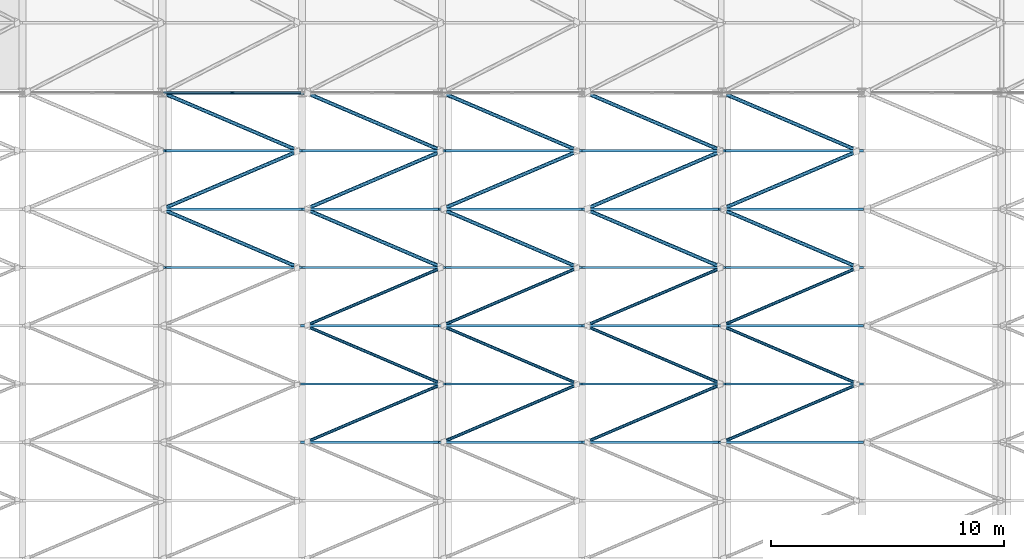
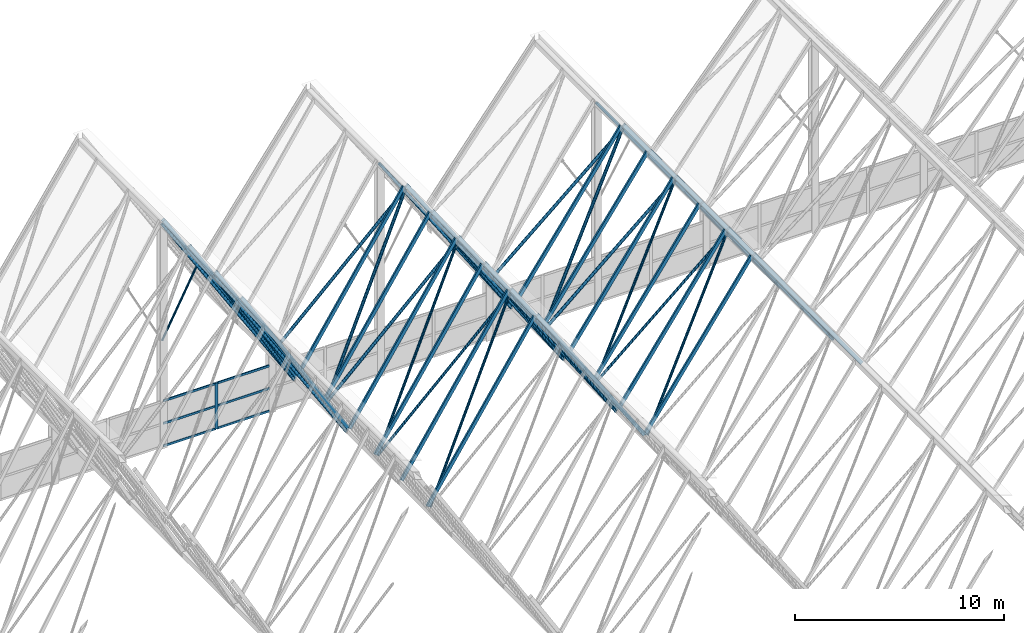
# One storey, part 22 of 483: 62 members, 1 beam, 1 element without a shape of its own.
"""IFC4 building model written with IfcOpenShell, lengths in metres."""

from ifc_helpers import new_model, si_unit, direction, frame, origin, origin_2d, place, context, subcontext, project, spatial, rectangle, hollow_rectangle, hollow_circle, extrude, material, material_profile, profile_set, type_object, element, aggregate, save


model = new_model("IFC4")

# Units and contexts
model_context = context("Model", 3, precision=1e-05, world=origin(), true_north=direction((0.0, 1.0)))
body_context = subcontext(model_context, "Body", "Model", "MODEL_VIEW")
ifc_project = project(units=[si_unit("LENGTHUNIT", "METRE"), si_unit("AREAUNIT", "SQUARE_METRE"), si_unit("VOLUMEUNIT", "CUBIC_METRE"), si_unit("PLANEANGLEUNIT", "RADIAN"), si_unit("MASSUNIT", "GRAM", prefix="KILO")], contexts=[model_context])

# Site, building, storey
site_placement = place(None, origin())
site = spatial("IfcSite", under=ifc_project, at=site_placement, CompositionType="ELEMENT")
building_placement = place(site_placement, origin())
building = spatial("IfcBuilding", under=site, at=building_placement, Name="Parallax Yard Mobility Hub", CompositionType="ELEMENT")
storey_placement = place(building_placement, frame((0.0, 0.0, 13.199951171875)))
storey = spatial("IfcBuildingStorey", under=building, at=storey_placement, Name="L04", CompositionType="ELEMENT", Elevation=13.199951171875)

# Member
ifc_material_1 = material(Name="Steel ASTM A500 Gr C", Category="steel")
ifc_material_profile_1 = material_profile(ifc_material_1, hollow_circle(Radius=0.05712890625, WallThickness=0.006103515625, at=origin_2d()), Name="HSS114.3x6.0")
ifc_profile_set_1 = profile_set([ifc_material_profile_1], Name="Steel ASTM A500 Gr C")
member_type_1 = type_object("IfcMemberType", Name="Knee brace HSS114.3x6.0", PredefinedType="BRACE", material=ifc_profile_set_1)
member_1_placement = place(storey_placement, frame((39.0, 52.5, 6.2001953125), z_axis=(0.460015544086, 0.0, 0.887910862193), x_axis=(0.0, 1.0, 0.0)))
element("IfcMember", 1, at=member_1_placement, inside=storey, type_object=member_type_1, Name="Gable knee brace F6 north east", PredefinedType="BRACE", context=body_context, shape_type="SweptSolid", body=[
    extrude(hollow_circle(Radius=0.05712890625, WallThickness=0.006103515625, at=origin_2d()), origin(), (0.0, 0.0, 1.0), 4.34765625),
])

# Curtain wall, member
ifc_material_2 = material(Name="Thermally broken aluminium curtain wall system", Category="aluminium")
curtain_wall_type = type_object("IfcCurtainWallType", Name="Curtain wall run 60 x 160 frame", PredefinedType="NOTDEFINED", material=ifc_material_2)
curtain_wall_placement = place(storey_placement, origin())
curtain_wall = element("IfcCurtainWall", 2, at=curtain_wall_placement, inside=storey, type_object=curtain_wall_type, Name="Glazed gable end Bus and taxi deck north gable bay 6 level L04", PredefinedType="NOTDEFINED")
ifc_material_3 = material(Name="Extruded aluminium", Category="aluminium")
ifc_material_profile_2 = material_profile(ifc_material_3, rectangle(XDim=0.06005859375, YDim=0.159912109375, at=origin_2d()), Name="Mullion 60 x 160")
ifc_profile_set_2 = profile_set([ifc_material_profile_2], Name="Extruded aluminium")
member_type_2 = type_object("IfcMemberType", Name="Mullion 60 x 160", PredefinedType="MULLION", material=ifc_profile_set_2)
member_2_placement = place(storey_placement, frame((42.0, 52.5, 0.0), z_axis=(0.0, 0.0, 1.0), x_axis=(0.0, 1.0, 0.0)))
member_2 = element("IfcMember", 3, at=member_2_placement, type_object=member_type_2, Name="CW1 mullion 2", PredefinedType="MULLION", context=body_context, shape_type="SweptSolid", body=[
    extrude(rectangle(XDim=0.06005859375, YDim=0.159912109375, at=origin_2d()), origin(), (0.0, 0.0, 1.0), 2.68994140625),
])

# Members
ifc_material_profile_3 = material_profile(ifc_material_1, hollow_circle(Radius=0.06982421875, WallThickness=0.00634765625, at=origin_2d()), Name="HSS139.7x6.4")
ifc_profile_set_3 = profile_set([ifc_material_profile_3], Name="Steel ASTM A500 Gr C")
member_type_3 = type_object("IfcMemberType", Name="Plate diagonal HSS139.7x6.4", PredefinedType="BRACE", material=ifc_profile_set_3)
member_3_placement = place(storey_placement, frame((63.0, 37.5, 11.6982421875), z_axis=(0.55979258078, 0.239323481429, -0.793319946643), x_axis=(-0.393103707527, 0.919494140888, 0.0)))
element("IfcMember", 4, at=member_3_placement, inside=storey, type_object=member_type_3, Name="Plate diagonal plate F10-F11 bay 13", PredefinedType="BRACE", context=body_context, shape_type="SweptSolid", body=[
    extrude(hollow_circle(Radius=0.06982421875, WallThickness=0.00634765625, at=origin_2d()), origin(), (0.0, 0.0, 1.0), 10.446044921875),
])
for number, where, z_axis, x_axis, name in (
    (5, (45.15234375, 37.5, 3.412353515625), (0.532816122499, 0.227790459853, 0.814996003674), (-0.393103707527, 0.919494140888, 0.0), "Plate diagonal plate F7-F8 bay 13"),
    (6, (51.0, 37.5, 12.35693359375), (0.532816122499, 0.227790459853, -0.814996003674), (-0.393103707527, 0.919494140888, 0.0), "Plate diagonal plate F8-F9 bay 13"),
):
    element("IfcMember", number, at=place(storey_placement, frame(where, z_axis=z_axis, x_axis=x_axis)), inside=storey, type_object=member_type_3, Name=name, PredefinedType="BRACE", context=body_context, shape_type="SweptSolid", body=[
        extrude(hollow_circle(Radius=0.06982421875, WallThickness=0.00634765625, at=origin_2d()), origin(), (0.0, 0.0, 1.0), 10.97509765625),
    ])
for number, where, z_axis, x_axis, name in (
    (7, (57.15234375, 37.5, 3.4111328125), (0.55979258078, 0.239323481429, 0.793319946643), (-0.393103707527, 0.919494140888, 0.0), "Plate diagonal plate F9-F10 bay 13"),
    (8, (68.84765625, 40.0, 3.4111328125), (-0.55979258078, 0.239323481429, 0.793319946643), (-0.393103707527, -0.919494140888, 0.0), "Plate diagonal plate F10-F11 bay 14"),
):
    element("IfcMember", number, at=place(storey_placement, frame(where, z_axis=z_axis, x_axis=x_axis)), inside=storey, type_object=member_type_3, Name=name, PredefinedType="BRACE", context=body_context, shape_type="SweptSolid", body=[
        extrude(hollow_circle(Radius=0.06982421875, WallThickness=0.00634765625, at=origin_2d()), origin(), (0.0, 0.0, 1.0), 10.446044921875),
    ])
for number, where, z_axis, x_axis, name in (
    (9, (51.0, 40.0, 12.35693359375), (-0.532816122499, 0.227790459853, -0.814996003674), (-0.393103707527, -0.919494140888, 0.0), "Plate diagonal plate F7-F8 bay 14"),
    (10, (56.84765625, 40.0, 3.412353515625), (-0.532816122499, 0.227790459853, 0.814996003674), (-0.393103707527, -0.919494140888, 0.0), "Plate diagonal plate F8-F9 bay 14"),
):
    element("IfcMember", number, at=place(storey_placement, frame(where, z_axis=z_axis, x_axis=x_axis)), inside=storey, type_object=member_type_3, Name=name, PredefinedType="BRACE", context=body_context, shape_type="SweptSolid", body=[
        extrude(hollow_circle(Radius=0.06982421875, WallThickness=0.00634765625, at=origin_2d()), origin(), (0.0, 0.0, 1.0), 10.97509765625),
    ])
for number, where, z_axis, x_axis, name in (
    (11, (63.0, 40.0, 11.6982421875), (-0.55979258078, 0.239323481429, -0.793319946643), (-0.393103707527, -0.919494140888, 0.0), "Plate diagonal plate F9-F10 bay 14"),
    (12, (63.0, 42.5, 11.6982421875), (0.55979258078, 0.239323481429, -0.793319946643), (-0.393103707527, 0.919494140888, 0.0), "Plate diagonal plate F10-F11 bay 15"),
):
    element("IfcMember", number, at=place(storey_placement, frame(where, z_axis=z_axis, x_axis=x_axis)), inside=storey, type_object=member_type_3, Name=name, PredefinedType="BRACE", context=body_context, shape_type="SweptSolid", body=[
        extrude(hollow_circle(Radius=0.06982421875, WallThickness=0.00634765625, at=origin_2d()), origin(), (0.0, 0.0, 1.0), 10.446044921875),
    ])
for number, where, z_axis, x_axis, name in (
    (13, (45.15234375, 42.5, 3.412353515625), (0.532816122499, 0.227790459853, 0.814996003674), (-0.393103707527, 0.919494140888, 0.0), "Plate diagonal plate F7-F8 bay 15"),
    (14, (51.0, 42.5, 12.35693359375), (0.532816122499, 0.227790459853, -0.814996003674), (-0.393103707527, 0.919494140888, 0.0), "Plate diagonal plate F8-F9 bay 15"),
):
    element("IfcMember", number, at=place(storey_placement, frame(where, z_axis=z_axis, x_axis=x_axis)), inside=storey, type_object=member_type_3, Name=name, PredefinedType="BRACE", context=body_context, shape_type="SweptSolid", body=[
        extrude(hollow_circle(Radius=0.06982421875, WallThickness=0.00634765625, at=origin_2d()), origin(), (0.0, 0.0, 1.0), 10.97509765625),
    ])
member_4_placement = place(storey_placement, frame((57.15234375, 42.5, 3.4111328125), z_axis=(0.55979258078, 0.239323481429, 0.793319946643), x_axis=(-0.393103707527, 0.919494140888, 0.0)))
element("IfcMember", 15, at=member_4_placement, inside=storey, type_object=member_type_3, Name="Plate diagonal plate F9-F10 bay 15", PredefinedType="BRACE", context=body_context, shape_type="SweptSolid", body=[
    extrude(hollow_circle(Radius=0.06982421875, WallThickness=0.00634765625, at=origin_2d()), origin(), (0.0, 0.0, 1.0), 10.446044921875),
])
ifc_material_profile_4 = material_profile(ifc_material_1, hollow_circle(Radius=0.084228515625, WallThickness=0.007080078125, at=origin_2d()), Name="HSS168.3x7.1")
ifc_profile_set_4 = profile_set([ifc_material_profile_4], Name="Steel ASTM A500 Gr C")
member_type_4 = type_object("IfcMemberType", Name="Plate diagonal HSS168.3x7.1", PredefinedType="BRACE", material=ifc_profile_set_4)
member_5_placement = place(storey_placement, frame((68.84765625, 45.0, 3.4111328125), z_axis=(-0.55979258078, 0.239323481429, 0.793319946643), x_axis=(-0.393103707527, -0.919494140888, 0.0)))
element("IfcMember", 16, at=member_5_placement, inside=storey, type_object=member_type_4, Name="Plate diagonal plate F10-F11 bay 16", PredefinedType="BRACE", context=body_context, shape_type="SweptSolid", body=[
    extrude(hollow_circle(Radius=0.084228515625, WallThickness=0.007080078125, at=origin_2d()), origin(), (0.0, 0.0, 1.0), 10.446044921875),
])
member_6_placement = place(storey_placement, frame((44.84765625, 45.0, 3.4130859375), z_axis=(-0.507735199294, 0.217067820673, 0.833718494833), x_axis=(-0.393103707527, -0.919494140888, 0.0)))
element("IfcMember", 17, at=member_6_placement, inside=storey, type_object=member_type_4, Name="Plate diagonal plate F6-F7 bay 16", PredefinedType="BRACE", context=body_context, shape_type="SweptSolid", body=[
    extrude(hollow_circle(Radius=0.084228515625, WallThickness=0.007080078125, at=origin_2d()), origin(), (0.0, 0.0, 1.0), 11.51708984375),
])
for number, where, z_axis, x_axis, name in (
    (18, (51.0, 45.0, 12.35693359375), (-0.532816122499, 0.227790459853, -0.814996003674), (-0.393103707527, -0.919494140888, 0.0), "Plate diagonal plate F7-F8 bay 16"),
    (19, (56.84765625, 45.0, 3.412353515625), (-0.532816122499, 0.227790459853, 0.814996003674), (-0.393103707527, -0.919494140888, 0.0), "Plate diagonal plate F8-F9 bay 16"),
):
    element("IfcMember", number, at=place(storey_placement, frame(where, z_axis=z_axis, x_axis=x_axis)), inside=storey, type_object=member_type_4, Name=name, PredefinedType="BRACE", context=body_context, shape_type="SweptSolid", body=[
        extrude(hollow_circle(Radius=0.084228515625, WallThickness=0.007080078125, at=origin_2d()), origin(), (0.0, 0.0, 1.0), 10.97509765625),
    ])
for number, where, z_axis, x_axis, name in (
    (20, (63.0, 45.0, 11.6982421875), (-0.55979258078, 0.239323481429, -0.793319946643), (-0.393103707527, -0.919494140888, 0.0), "Plate diagonal plate F9-F10 bay 16"),
    (21, (63.0, 47.5, 11.6982421875), (0.55979258078, 0.239323481429, -0.793319946643), (-0.393103707527, 0.919494140888, 0.0), "Plate diagonal plate F10-F11 bay 17"),
):
    element("IfcMember", number, at=place(storey_placement, frame(where, z_axis=z_axis, x_axis=x_axis)), inside=storey, type_object=member_type_4, Name=name, PredefinedType="BRACE", context=body_context, shape_type="SweptSolid", body=[
        extrude(hollow_circle(Radius=0.084228515625, WallThickness=0.007080078125, at=origin_2d()), origin(), (0.0, 0.0, 1.0), 10.446044921875),
    ])
member_7_placement = place(storey_placement, frame((39.0, 47.5, 13.01513671875), z_axis=(0.507735199294, 0.217067820673, -0.833718494833), x_axis=(-0.393103707527, 0.919494140888, 0.0)))
element("IfcMember", 22, at=member_7_placement, inside=storey, type_object=member_type_4, Name="Plate diagonal plate F6-F7 bay 17", PredefinedType="BRACE", context=body_context, shape_type="SweptSolid", body=[
    extrude(hollow_circle(Radius=0.084228515625, WallThickness=0.007080078125, at=origin_2d()), origin(), (0.0, 0.0, 1.0), 11.51708984375),
])
for number, where, z_axis, x_axis, name in (
    (23, (45.15234375, 47.5, 3.412353515625), (0.532816122499, 0.227790459853, 0.814996003674), (-0.393103707527, 0.919494140888, 0.0), "Plate diagonal plate F7-F8 bay 17"),
    (24, (51.0, 47.5, 12.35693359375), (0.532816122499, 0.227790459853, -0.814996003674), (-0.393103707527, 0.919494140888, 0.0), "Plate diagonal plate F8-F9 bay 17"),
):
    element("IfcMember", number, at=place(storey_placement, frame(where, z_axis=z_axis, x_axis=x_axis)), inside=storey, type_object=member_type_4, Name=name, PredefinedType="BRACE", context=body_context, shape_type="SweptSolid", body=[
        extrude(hollow_circle(Radius=0.084228515625, WallThickness=0.007080078125, at=origin_2d()), origin(), (0.0, 0.0, 1.0), 10.97509765625),
    ])
for number, where, z_axis, x_axis, name in (
    (25, (57.15234375, 47.5, 3.4111328125), (0.55979258078, 0.239323481429, 0.793319946643), (-0.393103707527, 0.919494140888, 0.0), "Plate diagonal plate F9-F10 bay 17"),
    (26, (68.84765625, 50.0, 3.4111328125), (-0.55979258078, 0.239323481429, 0.793319946643), (-0.393103707527, -0.919494140888, 0.0), "Plate diagonal plate F10-F11 bay 18"),
):
    element("IfcMember", number, at=place(storey_placement, frame(where, z_axis=z_axis, x_axis=x_axis)), inside=storey, type_object=member_type_4, Name=name, PredefinedType="BRACE", context=body_context, shape_type="SweptSolid", body=[
        extrude(hollow_circle(Radius=0.084228515625, WallThickness=0.007080078125, at=origin_2d()), origin(), (0.0, 0.0, 1.0), 10.446044921875),
    ])
member_8_placement = place(storey_placement, frame((44.84765625, 50.0, 3.4130859375), z_axis=(-0.507735199294, 0.217067820673, 0.833718494833), x_axis=(-0.393103707527, -0.919494140888, 0.0)))
element("IfcMember", 27, at=member_8_placement, inside=storey, type_object=member_type_4, Name="Plate diagonal plate F6-F7 bay 18", PredefinedType="BRACE", context=body_context, shape_type="SweptSolid", body=[
    extrude(hollow_circle(Radius=0.084228515625, WallThickness=0.007080078125, at=origin_2d()), origin(), (0.0, 0.0, 1.0), 11.51708984375),
])
for number, where, z_axis, x_axis, name in (
    (28, (51.0, 50.0, 12.35693359375), (-0.532816122499, 0.227790459853, -0.814996003674), (-0.393103707527, -0.919494140888, 0.0), "Plate diagonal plate F7-F8 bay 18"),
    (29, (56.84765625, 50.0, 3.412353515625), (-0.532816122499, 0.227790459853, 0.814996003674), (-0.393103707527, -0.919494140888, 0.0), "Plate diagonal plate F8-F9 bay 18"),
):
    element("IfcMember", number, at=place(storey_placement, frame(where, z_axis=z_axis, x_axis=x_axis)), inside=storey, type_object=member_type_4, Name=name, PredefinedType="BRACE", context=body_context, shape_type="SweptSolid", body=[
        extrude(hollow_circle(Radius=0.084228515625, WallThickness=0.007080078125, at=origin_2d()), origin(), (0.0, 0.0, 1.0), 10.97509765625),
    ])
member_9_placement = place(storey_placement, frame((63.0, 50.0, 11.6982421875), z_axis=(-0.55979258078, 0.239323481429, -0.793319946643), x_axis=(-0.393103707527, -0.919494140888, 0.0)))
element("IfcMember", 30, at=member_9_placement, inside=storey, type_object=member_type_4, Name="Plate diagonal plate F9-F10 bay 18", PredefinedType="BRACE", context=body_context, shape_type="SweptSolid", body=[
    extrude(hollow_circle(Radius=0.084228515625, WallThickness=0.007080078125, at=origin_2d()), origin(), (0.0, 0.0, 1.0), 10.446044921875),
])

# Beam
ifc_material_profile_5 = material_profile(ifc_material_1, hollow_rectangle(XDim=0.15234375, YDim=0.203125, WallThickness=0.009521484375, at=origin_2d()), Name="HSS203x152x9.5")
ifc_profile_set_5 = profile_set([ifc_material_profile_5], Name="Steel ASTM A500 Gr C")
beam_type = type_object("IfcBeamType", Name="Roof edge beam HSS203x152x9.5", PredefinedType="SPANDREL", material=ifc_profile_set_5)
beam_placement = place(storey_placement, frame((39.065673828125, 52.5, 13.237060546875), z_axis=(0.520123935721, 0.0, -0.854090798153), x_axis=(0.0, 1.0, 0.0)))
element("IfcBeam", 31, at=beam_placement, inside=storey, type_object=beam_type, Name="Edge beam plate F6-F7 north gable", PredefinedType="SPANDREL", context=body_context, shape_type="SweptSolid", body=[
    extrude(hollow_rectangle(XDim=0.15234375, YDim=0.203125, WallThickness=0.009521484375, at=origin_2d()), origin(), (0.0, 0.0, 1.0), 11.376953125),
])

# Members
ifc_material_profile_6 = material_profile(ifc_material_1, hollow_rectangle(XDim=0.1015625, YDim=0.203125, WallThickness=0.00634765625, at=origin_2d()), Name="HSS203x102x6.4")
ifc_profile_set_6 = profile_set([ifc_material_profile_6], Name="Steel ASTM A500 Gr C")
member_type_5 = type_object("IfcMemberType", Name="Roof rafter HSS203x102x6.4", PredefinedType="RAFTER", material=ifc_profile_set_6)
for number, where, z_axis, x_axis, name in (
    (32, (45.014892578125, 37.5, 3.515380859375), (0.54720191895, 0.0, 0.837000633152), (0.0, 1.0, 0.0), "Roof rafter plate F7-F8 at y 37.5"),
    (33, (51.0673828125, 37.5, 12.567138671875), (0.54720191895, 0.0, -0.837000633152), (0.0, 1.0, 0.0), "Roof rafter plate F8-F9 at y 37.5"),
):
    element("IfcMember", number, at=place(storey_placement, frame(where, z_axis=z_axis, x_axis=x_axis)), inside=storey, type_object=member_type_5, Name=name, PredefinedType="RAFTER", context=body_context, shape_type="SweptSolid", body=[
        extrude(hollow_rectangle(XDim=0.1015625, YDim=0.203125, WallThickness=0.00634765625, at=origin_2d()), origin(), (0.0, 0.0, 1.0), 10.814453125),
    ])
for number, where, z_axis, x_axis, name in (
    (34, (57.012939453125, 37.5, 3.5107421875), (0.576532840319, 0.0, 0.817073977088), (0.0, 1.0, 0.0), "Roof rafter plate F9-F10 at y 37.5"),
    (35, (63.0693359375, 37.5, 11.8974609375), (0.576532840319, 0.0, -0.817073977088), (0.0, 1.0, 0.0), "Roof rafter plate F10-F11 at y 37.5"),
):
    element("IfcMember", number, at=place(storey_placement, frame(where, z_axis=z_axis, x_axis=x_axis)), inside=storey, type_object=member_type_5, Name=name, PredefinedType="RAFTER", context=body_context, shape_type="SweptSolid", body=[
        extrude(hollow_rectangle(XDim=0.1015625, YDim=0.203125, WallThickness=0.00634765625, at=origin_2d()), origin(), (0.0, 0.0, 1.0), 10.264404296875),
    ])
for number, where, z_axis, x_axis, name in (
    (36, (45.014892578125, 40.0, 3.515380859375), (0.54720191895, 0.0, 0.837000633152), (0.0, 1.0, 0.0), "Roof rafter plate F7-F8 at y 40"),
    (37, (51.0673828125, 40.0, 12.567138671875), (0.54720191895, 0.0, -0.837000633152), (0.0, 1.0, 0.0), "Roof rafter plate F8-F9 at y 40"),
):
    element("IfcMember", number, at=place(storey_placement, frame(where, z_axis=z_axis, x_axis=x_axis)), inside=storey, type_object=member_type_5, Name=name, PredefinedType="RAFTER", context=body_context, shape_type="SweptSolid", body=[
        extrude(hollow_rectangle(XDim=0.1015625, YDim=0.203125, WallThickness=0.00634765625, at=origin_2d()), origin(), (0.0, 0.0, 1.0), 10.814453125),
    ])
for number, where, z_axis, x_axis, name in (
    (38, (57.012939453125, 40.0, 3.5107421875), (0.576532840319, 0.0, 0.817073977088), (0.0, 1.0, 0.0), "Roof rafter plate F9-F10 at y 40"),
    (39, (63.0693359375, 40.0, 11.8974609375), (0.576532840319, 0.0, -0.817073977088), (0.0, 1.0, 0.0), "Roof rafter plate F10-F11 at y 40"),
):
    element("IfcMember", number, at=place(storey_placement, frame(where, z_axis=z_axis, x_axis=x_axis)), inside=storey, type_object=member_type_5, Name=name, PredefinedType="RAFTER", context=body_context, shape_type="SweptSolid", body=[
        extrude(hollow_rectangle(XDim=0.1015625, YDim=0.203125, WallThickness=0.00634765625, at=origin_2d()), origin(), (0.0, 0.0, 1.0), 10.264404296875),
    ])
for number, where, z_axis, x_axis, name in (
    (40, (45.014892578125, 42.5, 3.515380859375), (0.54720191895, 0.0, 0.837000633152), (0.0, 1.0, 0.0), "Roof rafter plate F7-F8 at y 42.5"),
    (41, (51.0673828125, 42.5, 12.567138671875), (0.54720191895, 0.0, -0.837000633152), (0.0, 1.0, 0.0), "Roof rafter plate F8-F9 at y 42.5"),
):
    element("IfcMember", number, at=place(storey_placement, frame(where, z_axis=z_axis, x_axis=x_axis)), inside=storey, type_object=member_type_5, Name=name, PredefinedType="RAFTER", context=body_context, shape_type="SweptSolid", body=[
        extrude(hollow_rectangle(XDim=0.1015625, YDim=0.203125, WallThickness=0.00634765625, at=origin_2d()), origin(), (0.0, 0.0, 1.0), 10.814453125),
    ])
for number, where, z_axis, x_axis, name in (
    (42, (57.012939453125, 42.5, 3.5107421875), (0.576532840319, 0.0, 0.817073977088), (0.0, 1.0, 0.0), "Roof rafter plate F9-F10 at y 42.5"),
    (43, (63.0693359375, 42.5, 11.8974609375), (0.576532840319, 0.0, -0.817073977088), (0.0, 1.0, 0.0), "Roof rafter plate F10-F11 at y 42.5"),
):
    element("IfcMember", number, at=place(storey_placement, frame(where, z_axis=z_axis, x_axis=x_axis)), inside=storey, type_object=member_type_5, Name=name, PredefinedType="RAFTER", context=body_context, shape_type="SweptSolid", body=[
        extrude(hollow_rectangle(XDim=0.1015625, YDim=0.203125, WallThickness=0.00634765625, at=origin_2d()), origin(), (0.0, 0.0, 1.0), 10.264404296875),
    ])
member_10_placement = place(storey_placement, frame((39.065673828125, 45.0, 13.237060546875), z_axis=(0.520123935721, 0.0, -0.854090798153), x_axis=(0.0, 1.0, 0.0)))
element("IfcMember", 44, at=member_10_placement, inside=storey, type_object=member_type_5, Name="Roof rafter plate F6-F7 at y 45", PredefinedType="RAFTER", context=body_context, shape_type="SweptSolid", body=[
    extrude(hollow_rectangle(XDim=0.1015625, YDim=0.203125, WallThickness=0.00634765625, at=origin_2d()), origin(), (0.0, 0.0, 1.0), 11.376953125),
])
for number, where, z_axis, x_axis, name in (
    (45, (45.014892578125, 45.0, 3.515380859375), (0.54720191895, 0.0, 0.837000633152), (0.0, 1.0, 0.0), "Roof rafter plate F7-F8 at y 45"),
    (46, (51.0673828125, 45.0, 12.567138671875), (0.54720191895, 0.0, -0.837000633152), (0.0, 1.0, 0.0), "Roof rafter plate F8-F9 at y 45"),
):
    element("IfcMember", number, at=place(storey_placement, frame(where, z_axis=z_axis, x_axis=x_axis)), inside=storey, type_object=member_type_5, Name=name, PredefinedType="RAFTER", context=body_context, shape_type="SweptSolid", body=[
        extrude(hollow_rectangle(XDim=0.1015625, YDim=0.203125, WallThickness=0.00634765625, at=origin_2d()), origin(), (0.0, 0.0, 1.0), 10.814453125),
    ])
for number, where, z_axis, x_axis, name in (
    (47, (57.012939453125, 45.0, 3.5107421875), (0.576532840319, 0.0, 0.817073977088), (0.0, 1.0, 0.0), "Roof rafter plate F9-F10 at y 45"),
    (48, (63.0693359375, 45.0, 11.8974609375), (0.576532840319, 0.0, -0.817073977088), (0.0, 1.0, 0.0), "Roof rafter plate F10-F11 at y 45"),
):
    element("IfcMember", number, at=place(storey_placement, frame(where, z_axis=z_axis, x_axis=x_axis)), inside=storey, type_object=member_type_5, Name=name, PredefinedType="RAFTER", context=body_context, shape_type="SweptSolid", body=[
        extrude(hollow_rectangle(XDim=0.1015625, YDim=0.203125, WallThickness=0.00634765625, at=origin_2d()), origin(), (0.0, 0.0, 1.0), 10.264404296875),
    ])
member_11_placement = place(storey_placement, frame((39.065673828125, 47.5, 13.237060546875), z_axis=(0.520123935721, 0.0, -0.854090798153), x_axis=(0.0, 1.0, 0.0)))
element("IfcMember", 49, at=member_11_placement, inside=storey, type_object=member_type_5, Name="Roof rafter plate F6-F7 at y 47.5", PredefinedType="RAFTER", context=body_context, shape_type="SweptSolid", body=[
    extrude(hollow_rectangle(XDim=0.1015625, YDim=0.203125, WallThickness=0.00634765625, at=origin_2d()), origin(), (0.0, 0.0, 1.0), 11.376953125),
])
for number, where, z_axis, x_axis, name in (
    (50, (45.014892578125, 47.5, 3.515380859375), (0.54720191895, 0.0, 0.837000633152), (0.0, 1.0, 0.0), "Roof rafter plate F7-F8 at y 47.5"),
    (51, (51.0673828125, 47.5, 12.567138671875), (0.54720191895, 0.0, -0.837000633152), (0.0, 1.0, 0.0), "Roof rafter plate F8-F9 at y 47.5"),
):
    element("IfcMember", number, at=place(storey_placement, frame(where, z_axis=z_axis, x_axis=x_axis)), inside=storey, type_object=member_type_5, Name=name, PredefinedType="RAFTER", context=body_context, shape_type="SweptSolid", body=[
        extrude(hollow_rectangle(XDim=0.1015625, YDim=0.203125, WallThickness=0.00634765625, at=origin_2d()), origin(), (0.0, 0.0, 1.0), 10.814453125),
    ])
for number, where, z_axis, x_axis, name in (
    (52, (57.012939453125, 47.5, 3.5107421875), (0.576532840319, 0.0, 0.817073977088), (0.0, 1.0, 0.0), "Roof rafter plate F9-F10 at y 47.5"),
    (53, (63.0693359375, 47.5, 11.8974609375), (0.576532840319, 0.0, -0.817073977088), (0.0, 1.0, 0.0), "Roof rafter plate F10-F11 at y 47.5"),
):
    element("IfcMember", number, at=place(storey_placement, frame(where, z_axis=z_axis, x_axis=x_axis)), inside=storey, type_object=member_type_5, Name=name, PredefinedType="RAFTER", context=body_context, shape_type="SweptSolid", body=[
        extrude(hollow_rectangle(XDim=0.1015625, YDim=0.203125, WallThickness=0.00634765625, at=origin_2d()), origin(), (0.0, 0.0, 1.0), 10.264404296875),
    ])
member_12_placement = place(storey_placement, frame((39.065673828125, 50.0, 13.237060546875), z_axis=(0.520123935721, 0.0, -0.854090798153), x_axis=(0.0, 1.0, 0.0)))
element("IfcMember", 54, at=member_12_placement, inside=storey, type_object=member_type_5, Name="Roof rafter plate F6-F7 at y 50", PredefinedType="RAFTER", context=body_context, shape_type="SweptSolid", body=[
    extrude(hollow_rectangle(XDim=0.1015625, YDim=0.203125, WallThickness=0.00634765625, at=origin_2d()), origin(), (0.0, 0.0, 1.0), 11.376953125),
])
for number, where, z_axis, x_axis, name in (
    (55, (45.014892578125, 50.0, 3.515380859375), (0.54720191895, 0.0, 0.837000633152), (0.0, 1.0, 0.0), "Roof rafter plate F7-F8 at y 50"),
    (56, (51.0673828125, 50.0, 12.567138671875), (0.54720191895, 0.0, -0.837000633152), (0.0, 1.0, 0.0), "Roof rafter plate F8-F9 at y 50"),
):
    element("IfcMember", number, at=place(storey_placement, frame(where, z_axis=z_axis, x_axis=x_axis)), inside=storey, type_object=member_type_5, Name=name, PredefinedType="RAFTER", context=body_context, shape_type="SweptSolid", body=[
        extrude(hollow_rectangle(XDim=0.1015625, YDim=0.203125, WallThickness=0.00634765625, at=origin_2d()), origin(), (0.0, 0.0, 1.0), 10.814453125),
    ])
for number, where, z_axis, x_axis, name in (
    (57, (57.012939453125, 50.0, 3.5107421875), (0.576532840319, 0.0, 0.817073977088), (0.0, 1.0, 0.0), "Roof rafter plate F9-F10 at y 50"),
    (58, (63.0693359375, 50.0, 11.8974609375), (0.576532840319, 0.0, -0.817073977088), (0.0, 1.0, 0.0), "Roof rafter plate F10-F11 at y 50"),
):
    element("IfcMember", number, at=place(storey_placement, frame(where, z_axis=z_axis, x_axis=x_axis)), inside=storey, type_object=member_type_5, Name=name, PredefinedType="RAFTER", context=body_context, shape_type="SweptSolid", body=[
        extrude(hollow_rectangle(XDim=0.1015625, YDim=0.203125, WallThickness=0.00634765625, at=origin_2d()), origin(), (0.0, 0.0, 1.0), 10.264404296875),
    ])

# Member
ifc_material_profile_7 = material_profile(ifc_material_3, rectangle(XDim=0.06005859375, YDim=0.1201171875, at=origin_2d()), Name="Transom 60 x 120")
ifc_profile_set_7 = profile_set([ifc_material_profile_7], Name="Extruded aluminium")
member_type_6 = type_object("IfcMemberType", Name="Transom 60 x 120", PredefinedType="USERDEFINED", material=ifc_profile_set_7)
member_13_placement = place(storey_placement, frame((39.06005859375, 52.5, 0.030029296875), z_axis=(1.0, 0.0, 0.0), x_axis=(0.0, 1.0, 0.0)))
member_13 = element("IfcMember", 59, at=member_13_placement, type_object=member_type_6, Name="CW1 transom 1.1", ObjectType="TRANSOM", PredefinedType="USERDEFINED", context=body_context, shape_type="SweptSolid", body=[
    extrude(rectangle(XDim=0.06005859375, YDim=0.1201171875, at=origin_2d()), origin(), (0.0, 0.0, 1.0), 2.909912109375),
])

member_14_placement = place(storey_placement, frame((39.06005859375, 52.5, 1.344970703125), z_axis=(1.0, 0.0, 0.0), x_axis=(0.0, 1.0, 0.0)))
member_14 = element("IfcMember", 60, at=member_14_placement, type_object=member_type_6, Name="CW1 transom 1.2", ObjectType="TRANSOM", PredefinedType="USERDEFINED", context=body_context, shape_type="SweptSolid", body=[
    extrude(rectangle(XDim=0.06005859375, YDim=0.1201171875, at=origin_2d()), origin(), (0.0, 0.0, 1.0), 2.909912109375),
])

member_15_placement = place(storey_placement, frame((39.06005859375, 52.5, 2.66015625), z_axis=(1.0, 0.0, 0.0), x_axis=(0.0, 1.0, 0.0)))
member_15 = element("IfcMember", 61, at=member_15_placement, type_object=member_type_6, Name="CW1 transom 1.3", ObjectType="TRANSOM", PredefinedType="USERDEFINED", context=body_context, shape_type="SweptSolid", body=[
    extrude(rectangle(XDim=0.06005859375, YDim=0.1201171875, at=origin_2d()), origin(), (0.0, 0.0, 1.0), 2.909912109375),
])

member_16_placement = place(storey_placement, frame((42.030029296875, 52.5, 0.030029296875), z_axis=(1.0, 0.0, 0.0), x_axis=(0.0, 1.0, 0.0)))
member_16 = element("IfcMember", 62, at=member_16_placement, type_object=member_type_6, Name="CW1 transom 2.1", ObjectType="TRANSOM", PredefinedType="USERDEFINED", context=body_context, shape_type="SweptSolid", body=[
    extrude(rectangle(XDim=0.06005859375, YDim=0.1201171875, at=origin_2d()), origin(), (0.0, 0.0, 1.0), 2.909912109375),
])

member_17_placement = place(storey_placement, frame((42.030029296875, 52.5, 1.344970703125), z_axis=(1.0, 0.0, 0.0), x_axis=(0.0, 1.0, 0.0)))
member_17 = element("IfcMember", 63, at=member_17_placement, type_object=member_type_6, Name="CW1 transom 2.2", ObjectType="TRANSOM", PredefinedType="USERDEFINED", context=body_context, shape_type="SweptSolid", body=[
    extrude(rectangle(XDim=0.06005859375, YDim=0.1201171875, at=origin_2d()), origin(), (0.0, 0.0, 1.0), 2.909912109375),
])

member_18_placement = place(storey_placement, frame((42.030029296875, 52.5, 2.66015625), z_axis=(1.0, 0.0, 0.0), x_axis=(0.0, 1.0, 0.0)))
member_18 = element("IfcMember", 64, at=member_18_placement, type_object=member_type_6, Name="CW1 transom 2.3", ObjectType="TRANSOM", PredefinedType="USERDEFINED", context=body_context, shape_type="SweptSolid", body=[
    extrude(rectangle(XDim=0.06005859375, YDim=0.1201171875, at=origin_2d()), origin(), (0.0, 0.0, 1.0), 2.909912109375),
])

aggregate(curtain_wall, [member_2, member_13, member_14, member_15, member_16, member_17, member_18])

save(model, "model.ifc")
